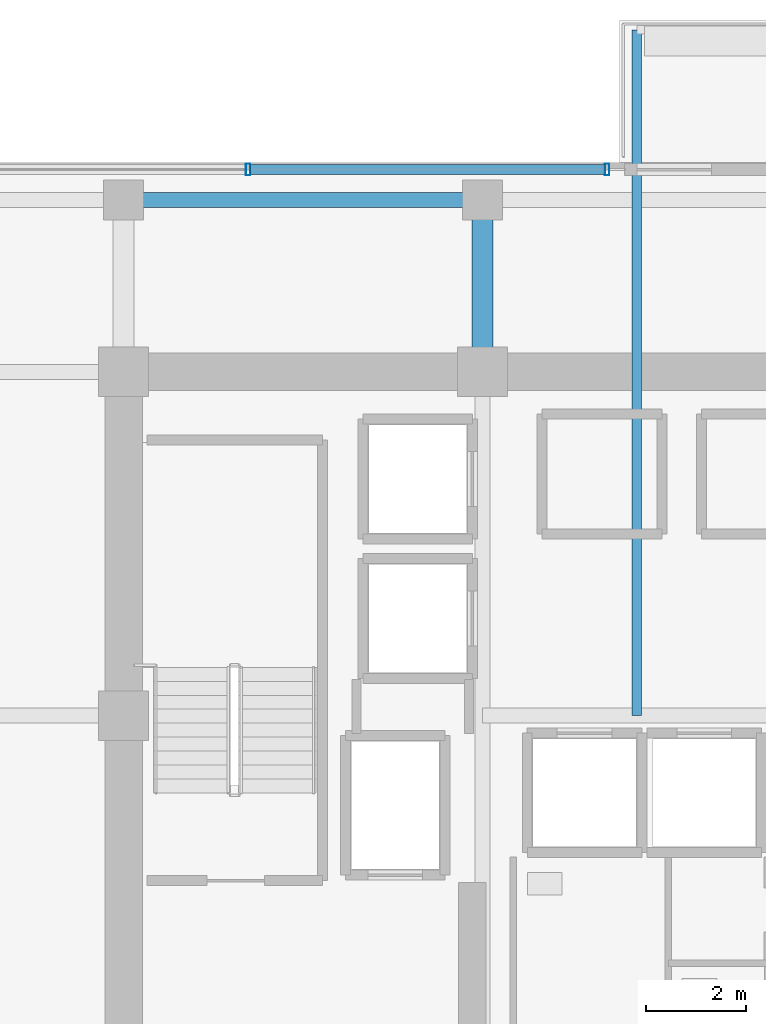
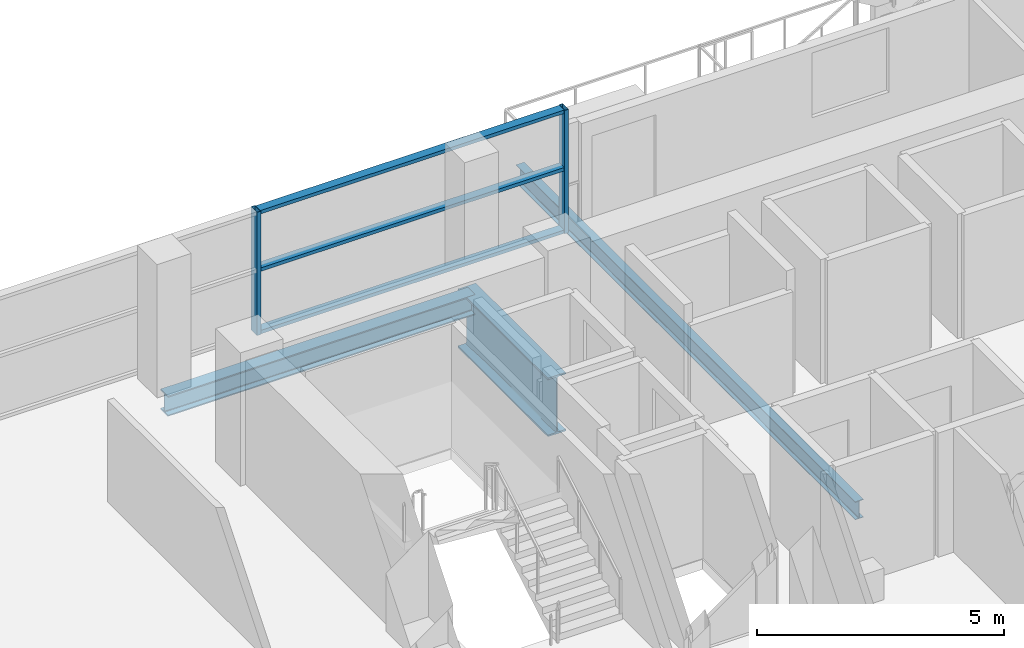
# One storey, part 15 of 27: 5 members, 3 beams, 1 element without a shape of its own.
"""IFC4 building model written with IfcOpenShell, lengths in metres."""

import ifcopenshell
import ifcopenshell.guid

model = None  # the IFC model being written
_history = None  # IfcOwnerHistory: only IFC2X3 demands one
_inside = {}  # id of a spatial element -> (the spatial element, [elements in it])
_under = {}  # id of a project, library or spatial element -> (it, [spatial elements below it])
_declared = {}  # id of a project -> (the project, [libraries it declares])
_typed = {}  # id of a type object -> (the type object, [elements of that type])
_made_of = {}  # id of a material, layer set ... -> (it, [elements and type objects made of it])


def new_model(schema):
    """Start an empty IFC model of exactly this schema.

    Asked for "IFC4X3", IfcOpenShell would pick the latest addendum, in which some entities
    have other attributes; the version numbers below select the first issue.
    IFC2X3 requires an IfcOwnerHistory on every rooted entity: one is made here for all.
    """
    global model, _history
    if schema == "IFC4X3":
        model = ifcopenshell.file(schema_version=(4, 3, 0, 0))
    else:
        model = ifcopenshell.file(schema=schema)
    _inside.clear()
    _under.clear()
    _declared.clear()
    _typed.clear()
    _made_of.clear()
    _history = None
    if model.schema == "IFC2X3":
        org = make("IfcOrganization", Name="unknown")
        user = make(
            "IfcPersonAndOrganization",
            ThePerson=make("IfcPerson", FamilyName="unknown"),
            TheOrganization=org,
        )
        app = make(
            "IfcApplication",
            ApplicationDeveloper=org,
            Version="unknown",
            ApplicationFullName="unknown",
            ApplicationIdentifier="unknown",
        )
        _history = make(
            "IfcOwnerHistory",
            OwningUser=user,
            OwningApplication=app,
            ChangeAction="ADDED",
            CreationDate=0,
        )
    return model


def make(cls, **values):
    """One entity of the class cls with the attributes given. An attribute that is None is left unset."""
    return model.create_entity(
        cls, **{name: value for name, value in values.items() if value is not None}
    )


def rooted(cls, **values):
    """An entity with a GlobalId (a new one), such as an element, a storey or a relation."""
    return make(cls, GlobalId=ifcopenshell.guid.new(), OwnerHistory=_history, **values)


def si_unit(unit_type, name, prefix=None):
    """IfcSIUnit, for example si_unit("LENGTHUNIT", "METRE", prefix="MILLI")."""
    return make("IfcSIUnit", UnitType=unit_type, Prefix=prefix, Name=name)


def assignment(units):
    """IfcUnitAssignment: the units of a project."""
    return None if units is None else make("IfcUnitAssignment", Units=units)


def point(xyz):
    """IfcCartesianPoint."""
    return None if xyz is None else make("IfcCartesianPoint", Coordinates=xyz)


def direction(xyz):
    """IfcDirection."""
    return None if xyz is None else make("IfcDirection", DirectionRatios=xyz)


def frame(location, z_axis=None, x_axis=None):
    """IfcAxis2Placement3D, a coordinate frame: its origin and axes. An axis left out is left unset."""
    return make(
        "IfcAxis2Placement3D",
        Location=point(location),
        Axis=direction(z_axis),
        RefDirection=direction(x_axis),
    )


def frame_2d(location, x_axis=None):
    """IfcAxis2Placement2D, a coordinate frame in the plane: its origin and x axis."""
    return make(
        "IfcAxis2Placement2D", Location=point(location), RefDirection=direction(x_axis)
    )


def origin():
    """The frame at (0, 0, 0) with its axes left unset."""
    return frame((0.0, 0.0, 0.0))


def origin_2d():
    """The frame at (0, 0) in the plane with its x axis left unset."""
    return frame_2d((0.0, 0.0))


def place(relative_to, where):
    """IfcLocalPlacement: puts the frame where relative to a parent placement (None: the world)."""
    return make(
        "IfcLocalPlacement", PlacementRelTo=relative_to, RelativePlacement=where
    )


def context(
    kind, dimensions, precision=None, world=None, true_north=None, identifier=None
):
    """IfcGeometricRepresentationContext, for example the 3D "Model" context."""
    return make(
        "IfcGeometricRepresentationContext",
        ContextIdentifier=identifier,
        ContextType=kind,
        CoordinateSpaceDimension=dimensions,
        Precision=precision,
        WorldCoordinateSystem=world,
        TrueNorth=true_north,
    )


def subcontext(parent, identifier, kind, view, scale=None):
    """IfcGeometricRepresentationSubContext, for example "Body" below "Model"."""
    return make(
        "IfcGeometricRepresentationSubContext",
        ContextIdentifier=identifier,
        ContextType=kind,
        ParentContext=parent,
        TargetScale=scale,
        TargetView=view,
    )


def project(units=None, contexts=None):
    """IfcProject with its units and contexts."""
    return rooted(
        "IfcProject",
        Name="project",
        RepresentationContexts=contexts,
        UnitsInContext=assignment(units),
    )


def spatial(cls, under=None, at=None, **own):
    """A site, building, storey or space (cls), placed at a placement, below another one or the project."""
    s = rooted(cls, ObjectPlacement=at, **own)
    if under is not None:
        _under.setdefault(under.id(), (under, []))[1].append(s)
    return s


def profile(cls, at=None, kind="AREA", **sizes):
    """A parametric profile (cls). Its sizes go by their IFC names, for example OverallWidth=200.0."""
    return make(cls, ProfileType=kind, Position=at, **sizes)


def hollow_rectangle(**sizes):
    """IfcRectangleHollowProfileDef."""
    return profile("IfcRectangleHollowProfileDef", **sizes)


def i_section(**sizes):
    """IfcIShapeProfileDef."""
    return profile("IfcIShapeProfileDef", **sizes)


def extrude(swept, where, along, depth):
    """IfcExtrudedAreaSolid: the profile swept, set in the frame where, extruded along a direction by depth."""
    return make(
        "IfcExtrudedAreaSolid",
        SweptArea=swept,
        Position=where,
        ExtrudedDirection=direction(along),
        Depth=depth,
    )


def shape(context_of_items, identifier, shape_type, items):
    """IfcShapeRepresentation: the items that make up one representation, for example the "Body"."""
    return make(
        "IfcShapeRepresentation",
        ContextOfItems=context_of_items,
        RepresentationIdentifier=identifier,
        RepresentationType=shape_type,
        Items=items,
    )


def source(mapping_origin, context_of_items, identifier, shape_type, items):
    """IfcRepresentationMap: a shape defined once, which mapped items show again and again."""
    return make(
        "IfcRepresentationMap",
        MappingOrigin=mapping_origin,
        MappedRepresentation=shape(context_of_items, identifier, shape_type, items),
    )


def transform(
    local_origin,
    x_axis=None,
    y_axis=None,
    z_axis=None,
    scale=None,
    scale2=None,
    scale3=None,
    uniform=True,
):
    """IfcCartesianTransformationOperator3D, or its non-uniform kind. x_axis, y_axis, z_axis: its Axis1, 2, 3."""
    if uniform:
        return make(
            "IfcCartesianTransformationOperator3D",
            Axis1=direction(x_axis),
            Axis2=direction(y_axis),
            LocalOrigin=point(local_origin),
            Scale=scale,
            Axis3=direction(z_axis),
        )
    return make(
        "IfcCartesianTransformationOperator3DnonUniform",
        Axis1=direction(x_axis),
        Axis2=direction(y_axis),
        LocalOrigin=point(local_origin),
        Scale=scale,
        Axis3=direction(z_axis),
        Scale2=scale2,
        Scale3=scale3,
    )


def mapped(mapping_source, mapping_target):
    """IfcMappedItem: shows the shape of a source again, moved by a transform."""
    return make(
        "IfcMappedItem", MappingSource=mapping_source, MappingTarget=mapping_target
    )


def material(Name=None, Category=None):
    """IfcMaterial."""
    return make("IfcMaterial", Name=Name, Category=Category)


def layer(
    of_material, thickness, ventilated=None, Name=None, Category=None, Priority=None
):
    """IfcMaterialLayer: one layer of a wall or slab, of a material (None: an air gap)."""
    return make(
        "IfcMaterialLayer",
        Material=of_material,
        LayerThickness=thickness,
        IsVentilated=ventilated,
        Name=Name,
        Category=Category,
        Priority=Priority,
    )


def layer_set(layers, Name=None):
    """IfcMaterialLayerSet."""
    return make("IfcMaterialLayerSet", MaterialLayers=layers, LayerSetName=Name)


def material_profile(
    of_material, cross_section, Name=None, Category=None, Priority=None
):
    """IfcMaterialProfile: a cross section and its material."""
    return make(
        "IfcMaterialProfile",
        Name=Name,
        Material=of_material,
        Profile=cross_section,
        Priority=Priority,
        Category=Category,
    )


def profile_set(profiles, Name=None, composite=None):
    """IfcMaterialProfileSet."""
    return make(
        "IfcMaterialProfileSet",
        Name=Name,
        MaterialProfiles=profiles,
        CompositeProfile=composite,
    )


def made_of(thing, what):
    """Note that an element or type object is made of a material, layer set ...; save() writes the relation."""
    if what is not None:
        _made_of.setdefault(what.id(), (what, []))[1].append(thing)
    return thing


def type_object(cls, material=None, **own):
    """A type object (cls), such as IfcWallType, which elements share."""
    return made_of(rooted(cls, **own), material)


def element(
    cls,
    number,
    at=None,
    inside=None,
    cuts=None,
    type_object=None,
    material=None,
    context=None,
    identifier="Body",
    shape_type=None,
    held_by="IfcProductDefinitionShape",
    body=None,
    shapes=None,
    **own,
):
    """One element of the class cls, such as IfcWall. Its Tag is "e" and its number.

    at: its placement. inside: the storey or other place that contains it. cuts: it is an
    opening in that element (IfcRelVoidsElement). A single representation is given by context,
    identifier, shape_type and body (its items); several are given by shapes. held_by: the class
    of the entity that holds the representations. save() writes the other relations.
    """
    e = rooted(cls, Tag="e%d" % number, ObjectPlacement=at, **own)
    if body is not None:
        shapes = [shape(context, identifier, shape_type, body)]
    if shapes is not None:
        e.Representation = make(held_by, Representations=shapes)
    if inside is not None:
        _inside.setdefault(inside.id(), (inside, []))[1].append(e)
    if cuts is not None:
        rooted(
            "IfcRelVoidsElement", RelatingBuildingElement=cuts, RelatedOpeningElement=e
        )
    if type_object is not None:
        _typed.setdefault(type_object.id(), (type_object, []))[1].append(e)
    return made_of(e, material)


def aggregate(whole, parts):
    """IfcRelAggregates: a whole, such as a stair, and the parts it consists of."""
    return rooted("IfcRelAggregates", RelatingObject=whole, RelatedObjects=parts)


def save(model, path):
    """Write the relations noted so far, then the file.

    IfcRelAggregates (storeys below a building ...), IfcRelContainedInSpatialStructure (elements
    in a storey), IfcRelDefinesByType, IfcRelAssociatesMaterial and IfcRelDeclares: one each for
    every whole, place, type object, material and project.
    """
    for whole, parts in _under.values():
        aggregate(whole, parts)
    for where, things in _inside.values():
        rooted(
            "IfcRelContainedInSpatialStructure",
            RelatedElements=things,
            RelatingStructure=where,
        )
    for kind, things in _typed.values():
        rooted("IfcRelDefinesByType", RelatedObjects=things, RelatingType=kind)
    for what, things in _made_of.values():
        rooted("IfcRelAssociatesMaterial", RelatedObjects=things, RelatingMaterial=what)
    for by, libraries in _declared.values():
        rooted("IfcRelDeclares", RelatingContext=by, RelatedDefinitions=libraries)
    model.write(path)


model = new_model("IFC4")

# Units and contexts
model_context = context("Model", 3, precision=1e-05, world=origin(), true_north=direction((0.0, 1.0)))
body_context = subcontext(model_context, "Body", "Model", "MODEL_VIEW")
ifc_project = project(units=[si_unit("LENGTHUNIT", "METRE"), si_unit("AREAUNIT", "SQUARE_METRE"), si_unit("VOLUMEUNIT", "CUBIC_METRE"), si_unit("PLANEANGLEUNIT", "RADIAN"), si_unit("MASSUNIT", "GRAM", prefix="KILO")], contexts=[model_context])

# Site, building, storey
site_placement = place(None, origin())
site = spatial("IfcSite", under=ifc_project, at=site_placement, CompositionType="ELEMENT")
building_placement = place(site_placement, origin())
building = spatial("IfcBuilding", under=site, at=building_placement, Name="Zarnakvel Exchange Tower", CompositionType="ELEMENT")
storey_placement = place(building_placement, frame((0.0, 0.0, 86.800048828125)))
storey = spatial("IfcBuildingStorey", under=building, at=storey_placement, Name="L23", CompositionType="ELEMENT", Elevation=86.800048828125)

# Beams
ifc_material_1 = material(Name="Steel S355", Category="steel")
ifc_material_profile_1 = material_profile(ifc_material_1, i_section(OverallWidth=0.18994140625, OverallDepth=0.449951171875, WebThickness=0.009521484375, FlangeThickness=0.0146484375, FilletRadius=0.02099609375, at=origin_2d()))
ifc_profile_set_1 = profile_set([ifc_material_profile_1], Name="Steel S355")
beam_type_1 = type_object("IfcBeamType", Name="B-05", PredefinedType="JOIST", material=ifc_profile_set_1)
beam_1_placement = place(storey_placement, frame((-4.10009765625, 6.60009765625, -0.47509765625), z_axis=(0.0, 1.0, 0.0), x_axis=(-1.0, 0.0, 0.0)))
element("IfcBeam", 1, at=beam_1_placement, inside=storey, type_object=beam_type_1, Name="L23 Continuous North Spiral Terrace Beam W", PredefinedType="JOIST", context=body_context, shape_type="SweptSolid", body=[
    extrude(i_section(OverallWidth=0.18994140625, OverallDepth=0.449951171875, WebThickness=0.009521484375, FlangeThickness=0.0146484375, FilletRadius=0.02099609375, at=origin_2d()), origin(), (0.0, 0.0, 1.0), 13.760009765625),
])
ifc_material_profile_2 = material_profile(ifc_material_1, i_section(OverallWidth=0.300048828125, OverallDepth=0.5, WebThickness=0.014404296875, FlangeThickness=0.028076171875, FilletRadius=0.027099609375, at=origin_2d()))
ifc_profile_set_2 = profile_set([ifc_material_profile_2], Name="Steel S355")
beam_type_2 = type_object("IfcBeamType", Name="SP-02", PredefinedType="SPANDREL", material=ifc_profile_set_2)
beam_2_placement = place(storey_placement, frame((-14.39990234375, 16.949951171875, -0.5), z_axis=(1.0, 0.0, 0.0), x_axis=(0.0, 1.0, 0.0)))
element("IfcBeam", 2, at=beam_2_placement, inside=storey, type_object=beam_type_2, Name="L23 Tower E-W Frame Beam", PredefinedType="SPANDREL", context=body_context, shape_type="SweptSolid", body=[
    extrude(i_section(OverallWidth=0.300048828125, OverallDepth=0.5, WebThickness=0.014404296875, FlangeThickness=0.028076171875, FilletRadius=0.027099609375, at=origin_2d()), origin(), (0.0, 0.0, 1.0), 7.199951171875),
])
ifc_material_2 = material(Name="Steel S460", Category="steel")
ifc_material_profile_3 = material_profile(ifc_material_2, i_section(OverallWidth=0.419921875, OverallDepth=1.449951171875, WebThickness=0.02392578125, FlangeThickness=0.0400390625, FilletRadius=0.030029296875, at=origin_2d()))
ifc_profile_set_3 = profile_set([ifc_material_profile_3], Name="Steel S460")
beam_type_3 = type_object("IfcBeamType", Name="TG-01", PredefinedType="BEAM", material=ifc_profile_set_3)
beam_3_placement = place(storey_placement, frame((-7.199951171875, 13.5, -0.97509765625), z_axis=(0.0, 1.0, 0.0), x_axis=(-1.0, 0.0, 0.0)))
element("IfcBeam", 3, at=beam_3_placement, inside=storey, type_object=beam_type_3, Name="L23 Setback N-S Transfer Girder TN-5", PredefinedType="BEAM", context=body_context, shape_type="SweptSolid", body=[
    extrude(i_section(OverallWidth=0.419921875, OverallDepth=1.449951171875, WebThickness=0.02392578125, FlangeThickness=0.0400390625, FilletRadius=0.030029296875, at=origin_2d()), origin(), (0.0, 0.0, 1.0), 3.64990234375),
])

# Curtain wall, members
ifc_material_3 = material(Name="Architectural Bronze Anodised Aluminium", Category="aluminium")
ifc_layer = layer(ifc_material_3, 0.239990234375)
ifc_layer_set = layer_set([ifc_layer], Name="Architectural Bronze Anodised Aluminium")
curtain_wall_type = type_object("IfcCurtainWallType", Name="CW-02", PredefinedType="NOTDEFINED", material=ifc_layer_set)
curtain_wall_placement = place(storey_placement, origin())
curtain_wall = element("IfcCurtainWall", 4, at=curtain_wall_placement, inside=storey, type_object=curtain_wall_type, Name="L23 Curtain Wall CW-L23-N1 (CW-02)", PredefinedType="NOTDEFINED")
ifc_material_profile_4 = material_profile(ifc_material_3, hollow_rectangle(XDim=0.239990234375, YDim=0.090087890625, WallThickness=0.006103515625, at=origin_2d()))
ifc_profile_set_4 = profile_set([ifc_material_profile_4], Name="Architectural Bronze Anodised Aluminium")
member_type_1 = type_object("IfcMemberType", Name="CWM-02", PredefinedType="MULLION", material=ifc_profile_set_4)
shared_shape_1 = source(origin(), body_context, "Body", "SweptSolid", [
    extrude(hollow_rectangle(XDim=0.239990234375, YDim=0.090087890625, WallThickness=0.006103515625, at=origin_2d()), origin(), (0.0, 0.0, 1.0), 3.054931640625),
])
member_1_placement = place(storey_placement, frame((-11.89990234375, 17.56005859375, 0.0), z_axis=(0.0, 0.0, 1.0), x_axis=(0.0, 1.0, 0.0)))
member_1 = element("IfcMember", 5, at=member_1_placement, type_object=member_type_1, Name="CW-02 mullion 3", PredefinedType="MULLION", context=body_context, shape_type="MappedRepresentation", body=[
    mapped(shared_shape_1, transform((0.0, 0.0, 0.0), x_axis=(1.0, 0.0, 0.0), y_axis=(0.0, 1.0, 0.0), z_axis=(0.0, 0.0, 1.0), scale=1.0)),
])
member_2_placement = place(storey_placement, frame((-4.695068359375, 17.56005859375, 0.0), z_axis=(0.0, 0.0, 1.0), x_axis=(0.0, 1.0, 0.0)))
member_2 = element("IfcMember", 6, at=member_2_placement, type_object=member_type_1, Name="CW-02 mullion 4", PredefinedType="MULLION", context=body_context, shape_type="MappedRepresentation", body=[
    mapped(shared_shape_1, transform((0.0, 0.0, 0.0), x_axis=(1.0, 0.0, 0.0), y_axis=(0.0, 1.0, 0.0), z_axis=(0.0, 0.0, 1.0), scale=1.0)),
])
ifc_material_profile_5 = material_profile(ifc_material_3, hollow_rectangle(XDim=0.199951171875, YDim=0.0849609375, WallThickness=0.0048828125, at=origin_2d()))
ifc_profile_set_5 = profile_set([ifc_material_profile_5], Name="Architectural Bronze Anodised Aluminium")
member_type_2 = type_object("IfcMemberType", Name="CWT-02", PredefinedType="USERDEFINED", material=ifc_profile_set_5)
shared_shape_2 = source(origin(), body_context, "Body", "SweptSolid", [
    extrude(hollow_rectangle(XDim=0.199951171875, YDim=0.0849609375, WallThickness=0.0048828125, at=origin_2d()), origin(), (0.0, 0.0, 1.0), 7.114990234375),
])
member_3_placement = place(storey_placement, frame((-11.85498046875, 17.56005859375, 0.04248046875), z_axis=(1.0, 0.0, 0.0), x_axis=(0.0, 1.0, 0.0)))
member_3 = element("IfcMember", 7, at=member_3_placement, type_object=member_type_2, Name="CW-02 transom 3.1", ObjectType="TRANSOM", PredefinedType="USERDEFINED", context=body_context, shape_type="MappedRepresentation", body=[
    mapped(shared_shape_2, transform((0.0, 0.0, 0.0), x_axis=(1.0, 0.0, 0.0), y_axis=(0.0, 1.0, 0.0), z_axis=(0.0, 0.0, 1.0), scale=1.0)),
])
member_4_placement = place(storey_placement, frame((-11.85498046875, 17.56005859375, 1.588623046875), z_axis=(1.0, 0.0, 0.0), x_axis=(0.0, 1.0, 0.0)))
member_4 = element("IfcMember", 8, at=member_4_placement, type_object=member_type_2, Name="CW-02 transom 3.2", ObjectType="TRANSOM", PredefinedType="USERDEFINED", context=body_context, shape_type="MappedRepresentation", body=[
    mapped(shared_shape_2, transform((0.0, 0.0, 0.0), x_axis=(1.0, 0.0, 0.0), y_axis=(0.0, 1.0, 0.0), z_axis=(0.0, 0.0, 1.0), scale=1.0)),
])
member_5_placement = place(storey_placement, frame((-11.85498046875, 17.56005859375, 3.012451171875), z_axis=(1.0, 0.0, 0.0), x_axis=(0.0, 1.0, 0.0)))
member_5 = element("IfcMember", 9, at=member_5_placement, type_object=member_type_2, Name="CW-02 transom 3.3", ObjectType="TRANSOM", PredefinedType="USERDEFINED", context=body_context, shape_type="MappedRepresentation", body=[
    mapped(shared_shape_2, transform((0.0, 0.0, 0.0), x_axis=(1.0, 0.0, 0.0), y_axis=(0.0, 1.0, 0.0), z_axis=(0.0, 0.0, 1.0), scale=1.0)),
])
aggregate(curtain_wall, [member_1, member_2, member_3, member_4, member_5])

save(model, "model.ifc")
